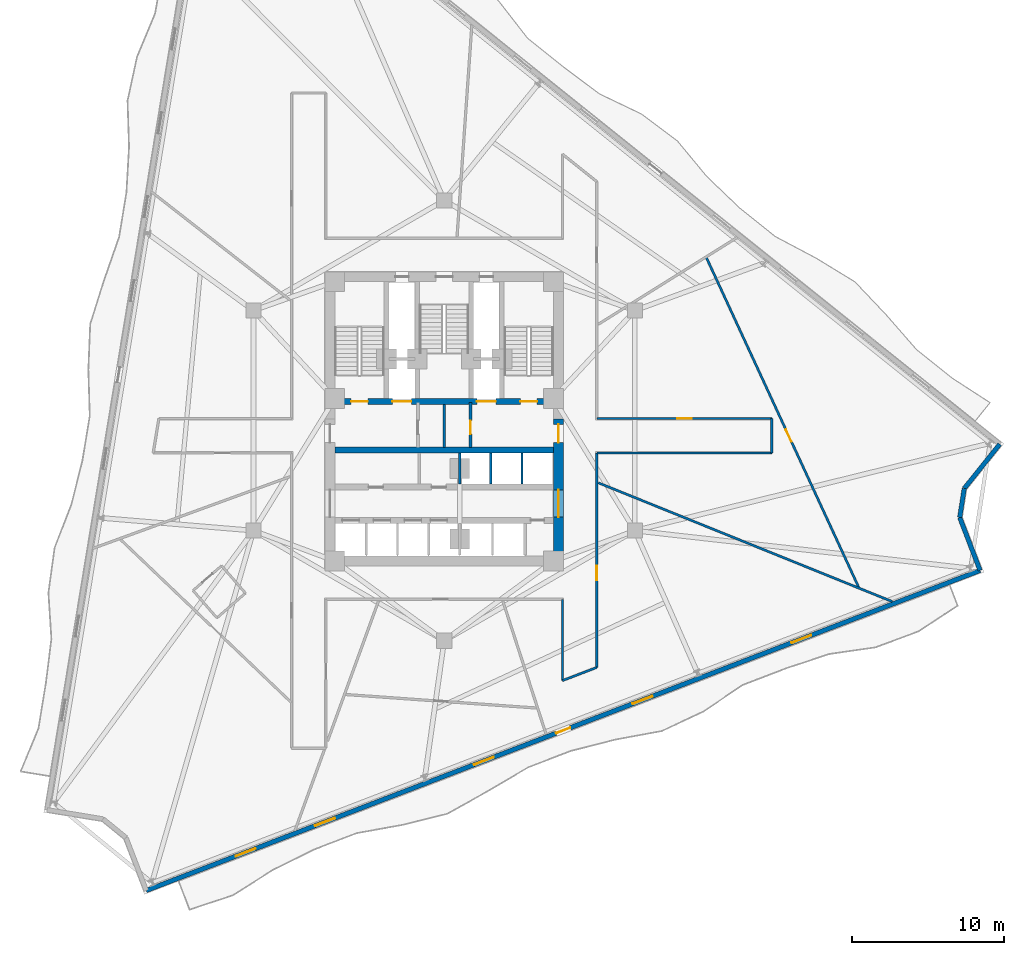
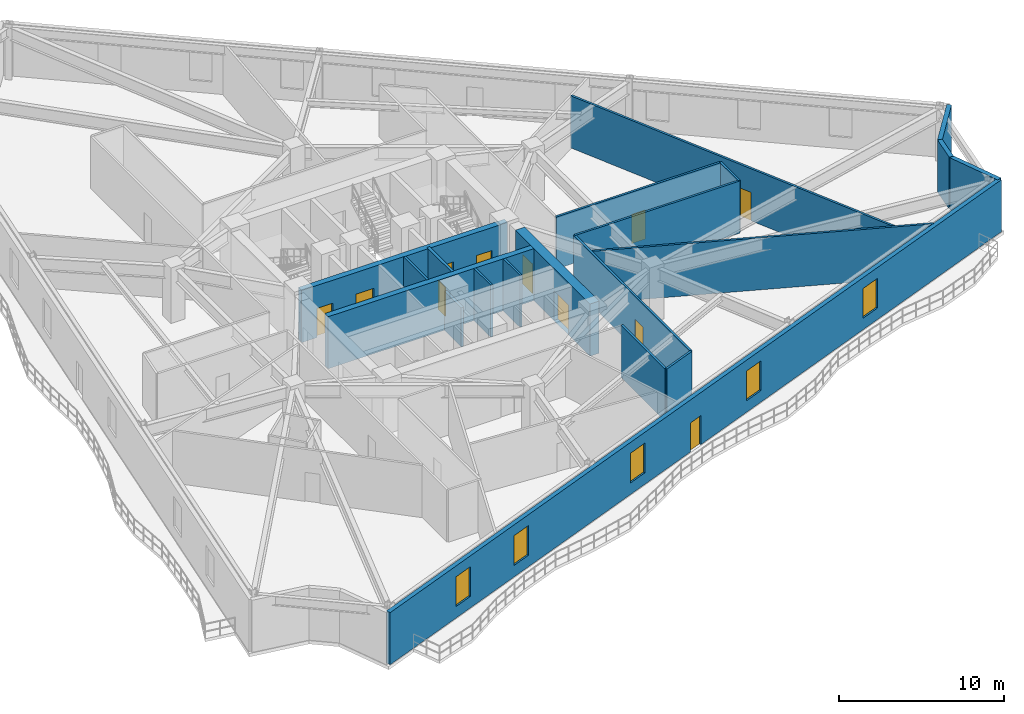
# One storey, part 5 of 11: 20 walls, 11 doors, 5 windows, 16 openings.
"""IFC4 building model written with IfcOpenShell, lengths in metres."""

from ifc_helpers import new_model, si_unit, direction, frame, frame_2d, origin, place, context, subcontext, project, spatial, rectangle, extrude, material, layer, layer_set, type_object, element, fill, save


model = new_model("IFC4")

# Units and contexts
model_context = context("Model", 3, precision=1e-05, world=origin(), true_north=direction((0.0, 1.0)))
body_context = subcontext(model_context, "Body", "Model", "MODEL_VIEW")
ifc_project = project(units=[si_unit("LENGTHUNIT", "METRE"), si_unit("AREAUNIT", "SQUARE_METRE"), si_unit("VOLUMEUNIT", "CUBIC_METRE"), si_unit("PLANEANGLEUNIT", "RADIAN"), si_unit("MASSUNIT", "GRAM", prefix="KILO")], contexts=[model_context])

# Site, building, storey
site_placement = place(None, origin())
site = spatial("IfcSite", under=ifc_project, at=site_placement, CompositionType="ELEMENT")
building_placement = place(site_placement, origin())
building = spatial("IfcBuilding", under=site, at=building_placement, Name="Apsidion Concourse Tower", CompositionType="ELEMENT")
storey_placement = place(building_placement, frame((0.0, 0.0, 132.199951171875)))
storey = spatial("IfcBuildingStorey", under=building, at=storey_placement, Name="L30", CompositionType="ELEMENT", Elevation=132.199951171875)

# Walls
ifc_material_1 = material(Name="Precast concrete C40/50", Category="concrete")
ifc_layer_1 = layer(ifc_material_1, 0.300048828125)
ifc_layer_set_1 = layer_set([ifc_layer_1], Name="Precast concrete C40/50")
wall_type_1 = type_object("IfcWallType", Name="WL-EXT-300", PredefinedType="STANDARD", material=ifc_layer_set_1)
wall_1_placement = place(storey_placement, frame((36.58984375, -1.556640625, 0.0), z_axis=(0.0, 0.0, 1.0), x_axis=(-0.62493402561, -0.780677567012, 0.0)))
element("IfcWall", 1, at=wall_1_placement, inside=storey, type_object=wall_type_1, Name="L30 Precast Stone Facade Wall 02", PredefinedType="STANDARD", context=body_context, shape_type="SweptSolid", body=[
    extrude(rectangle(XDim=3.737060546875, YDim=0.300048828125, at=frame_2d((1.86865234375, 0.0))), origin(), (0.0, 0.0, 1.0), 3.85009765625),
])
wall_2_placement = place(storey_placement, frame((34.25439453125, -4.47412109375, 0.0), z_axis=(0.0, 0.0, 1.0), x_axis=(-0.153717968475, -0.988114763663, 0.0)))
element("IfcWall", 2, at=wall_2_placement, inside=storey, type_object=wall_type_1, Name="L30 Precast Stone Facade Wall 03", PredefinedType="STANDARD", context=body_context, shape_type="SweptSolid", body=[
    extrude(rectangle(XDim=1.932861328125, YDim=0.300048828125, at=frame_2d((0.96630859375, 0.0))), origin(), (0.0, 0.0, 1.0), 3.85009765625),
])
wall_3_placement = place(storey_placement, frame((33.957275390625, -6.384033203125, 0.0), z_axis=(0.0, 0.0, 1.0), x_axis=(0.358344201462, -0.933589542186, 0.0)))
element("IfcWall", 3, at=wall_3_placement, inside=storey, type_object=wall_type_1, Name="L30 Precast Stone Facade Wall 04", PredefinedType="STANDARD", context=body_context, shape_type="SweptSolid", body=[
    extrude(rectangle(XDim=3.737060546875, YDim=0.300048828125, at=frame_2d((1.86865234375, 0.0))), origin(), (0.0, 0.0, 1.0), 3.85009765625),
])

# Wall, openings, door, windows
wall_4_placement = place(storey_placement, frame((35.29638671875, -9.872802734375, 0.0), z_axis=(0.0, 0.0, 1.0), x_axis=(-0.933580612554, -0.35836746485, 0.0)))
wall_4 = element("IfcWall", 4, at=wall_4_placement, inside=storey, type_object=wall_type_1, Name="L30 Precast Stone Facade Wall 05", PredefinedType="STANDARD", context=body_context, shape_type="SweptSolid", body=[
    extrude(rectangle(XDim=58.827880859375, YDim=0.300048828125, at=frame_2d((29.4140625, 0.0))), origin(), (0.0, 0.0, 1.0), 3.85009765625),
])
opening_1_placement = place(wall_4_placement, frame((28.9140625, 0.0, 0.0)))
opening_1 = element("IfcOpeningElement", 5, at=opening_1_placement, cuts=wall_4, Name="Opening D-T1R", PredefinedType="OPENING", context=body_context, shape_type="SweptSolid", body=[
    extrude(rectangle(XDim=1.0, YDim=2.14990234375, at=frame_2d((0.5, 1.074951171875))), frame((0.0, 0.16015625, 0.0), z_axis=(0.0, -1.0, 0.0), x_axis=(1.0, 0.0, 0.0)), (0.0, 0.0, 1.0), 0.320068359375),
])
opening_2_placement = place(wall_4_placement, frame((11.9140625, 0.0, 0.85009765625)))
opening_2 = element("IfcOpeningElement", 6, at=opening_2_placement, cuts=wall_4, Name="Opening WN-05", PredefinedType="OPENING", context=body_context, shape_type="SweptSolid", body=[
    extrude(rectangle(XDim=1.39990234375, YDim=2.199951171875, at=frame_2d((0.699951171875, 1.10009765625))), frame((0.0, 0.16015625, 0.0), z_axis=(0.0, -1.0, 0.0), x_axis=(1.0, 0.0, 0.0)), (0.0, 0.0, 1.0), 0.320068359375),
])
opening_3_placement = place(wall_4_placement, frame((23.114013671875, 0.0, 0.85009765625)))
opening_3 = element("IfcOpeningElement", 7, at=opening_3_placement, cuts=wall_4, Name="Opening WN-05", PredefinedType="OPENING", context=body_context, shape_type="SweptSolid", body=[
    extrude(rectangle(XDim=1.39990234375, YDim=2.199951171875, at=frame_2d((0.699951171875, 1.10009765625))), frame((0.0, 0.16015625, 0.0), z_axis=(0.0, -1.0, 0.0), x_axis=(1.0, 0.0, 0.0)), (0.0, 0.0, 1.0), 0.320068359375),
])
opening_4_placement = place(wall_4_placement, frame((34.31396484375, 0.0, 0.85009765625)))
opening_4 = element("IfcOpeningElement", 8, at=opening_4_placement, cuts=wall_4, Name="Opening WN-05", PredefinedType="OPENING", context=body_context, shape_type="SweptSolid", body=[
    extrude(rectangle(XDim=1.39990234375, YDim=2.199951171875, at=frame_2d((0.699951171875, 1.10009765625))), frame((0.0, 0.16015625, 0.0), z_axis=(0.0, -1.0, 0.0), x_axis=(1.0, 0.0, 0.0)), (0.0, 0.0, 1.0), 0.320068359375),
])
opening_5_placement = place(wall_4_placement, frame((45.513916015625, 0.0, 0.85009765625)))
opening_5 = element("IfcOpeningElement", 9, at=opening_5_placement, cuts=wall_4, Name="Opening WN-05", PredefinedType="OPENING", context=body_context, shape_type="SweptSolid", body=[
    extrude(rectangle(XDim=1.39990234375, YDim=2.199951171875, at=frame_2d((0.699951171875, 1.10009765625))), frame((0.0, 0.16015625, 0.0), z_axis=(0.0, -1.0, 0.0), x_axis=(1.0, 0.0, 0.0)), (0.0, 0.0, 1.0), 0.320068359375),
])
opening_6_placement = place(wall_4_placement, frame((51.114013671875, 0.0, 0.85009765625)))
opening_6 = element("IfcOpeningElement", 10, at=opening_6_placement, cuts=wall_4, Name="Opening WN-05", PredefinedType="OPENING", context=body_context, shape_type="SweptSolid", body=[
    extrude(rectangle(XDim=1.39990234375, YDim=2.199951171875, at=frame_2d((0.699951171875, 1.10009765625))), frame((0.0, 0.16015625, 0.0), z_axis=(0.0, -1.0, 0.0), x_axis=(1.0, 0.0, 0.0)), (0.0, 0.0, 1.0), 0.320068359375),
])
ifc_material_2 = material(Name="Anodised aluminium EN AW-6063 T6", Category="aluminium")
door_type_1 = type_object("IfcDoorType", Name="DR-TER-1022R", OperationType="SINGLE_SWING_RIGHT", PredefinedType="DOOR", material=ifc_material_2)
door_1_placement = place(opening_1_placement, origin())
door_1 = element("IfcDoor", 11, at=door_1_placement, inside=storey, type_object=door_type_1, Name="L30 Balcony Access Door 2", OperationType="SINGLE_SWING_RIGHT", OverallHeight=2.14990234375, OverallWidth=1.0, PredefinedType="DOOR", context=body_context, shape_type="SweptSolid", body=[
    extrude(rectangle(XDim=1.0, YDim=2.14990234375, at=frame_2d((0.5, 1.074951171875))), frame((0.0, 0.02490234375, 0.0), z_axis=(0.0, -1.0, 0.0), x_axis=(1.0, 0.0, 0.0)), (0.0, 0.0, 1.0), 0.050048828125),
])
fill(opening_1, door_1)
ifc_material_3 = material(Name="Insulated laminated low-E glass", Category="glass")
window_type = type_object("IfcWindowType", Name="WN-OFF-1424", PartitioningType="SINGLE_PANEL", PredefinedType="WINDOW", material=ifc_material_3)
window_1_placement = place(opening_2_placement, origin())
window_1 = element("IfcWindow", 12, at=window_1_placement, inside=storey, type_object=window_type, Name="L30 Punched Facade Window 5-02", OverallHeight=2.199951171875, OverallWidth=1.39990234375, PartitioningType="SINGLE_PANEL", PredefinedType="WINDOW", context=body_context, shape_type="SweptSolid", body=[
    extrude(rectangle(XDim=1.39990234375, YDim=2.199951171875, at=frame_2d((0.699951171875, 1.10009765625))), frame((0.0, 0.030029296875, 0.0), z_axis=(0.0, -1.0, 0.0), x_axis=(1.0, 0.0, 0.0)), (0.0, 0.0, 1.0), 0.06005859375),
])
fill(opening_2, window_1)
window_2_placement = place(opening_3_placement, origin())
window_2 = element("IfcWindow", 13, at=window_2_placement, inside=storey, type_object=window_type, Name="L30 Punched Facade Window 5-04", OverallHeight=2.199951171875, OverallWidth=1.39990234375, PartitioningType="SINGLE_PANEL", PredefinedType="WINDOW", context=body_context, shape_type="SweptSolid", body=[
    extrude(rectangle(XDim=1.39990234375, YDim=2.199951171875, at=frame_2d((0.699951171875, 1.10009765625))), frame((0.0, 0.030029296875, 0.0), z_axis=(0.0, -1.0, 0.0), x_axis=(1.0, 0.0, 0.0)), (0.0, 0.0, 1.0), 0.06005859375),
])
fill(opening_3, window_2)
window_3_placement = place(opening_4_placement, origin())
window_3 = element("IfcWindow", 14, at=window_3_placement, inside=storey, type_object=window_type, Name="L30 Punched Facade Window 5-06", OverallHeight=2.199951171875, OverallWidth=1.39990234375, PartitioningType="SINGLE_PANEL", PredefinedType="WINDOW", context=body_context, shape_type="SweptSolid", body=[
    extrude(rectangle(XDim=1.39990234375, YDim=2.199951171875, at=frame_2d((0.699951171875, 1.10009765625))), frame((0.0, 0.030029296875, 0.0), z_axis=(0.0, -1.0, 0.0), x_axis=(1.0, 0.0, 0.0)), (0.0, 0.0, 1.0), 0.06005859375),
])
fill(opening_4, window_3)
window_4_placement = place(opening_5_placement, origin())
window_4 = element("IfcWindow", 15, at=window_4_placement, inside=storey, type_object=window_type, Name="L30 Punched Facade Window 5-08", OverallHeight=2.199951171875, OverallWidth=1.39990234375, PartitioningType="SINGLE_PANEL", PredefinedType="WINDOW", context=body_context, shape_type="SweptSolid", body=[
    extrude(rectangle(XDim=1.39990234375, YDim=2.199951171875, at=frame_2d((0.699951171875, 1.10009765625))), frame((0.0, 0.030029296875, 0.0), z_axis=(0.0, -1.0, 0.0), x_axis=(1.0, 0.0, 0.0)), (0.0, 0.0, 1.0), 0.06005859375),
])
fill(opening_5, window_4)
window_5_placement = place(opening_6_placement, origin())
window_5 = element("IfcWindow", 16, at=window_5_placement, inside=storey, type_object=window_type, Name="L30 Punched Facade Window 5-09", OverallHeight=2.199951171875, OverallWidth=1.39990234375, PartitioningType="SINGLE_PANEL", PredefinedType="WINDOW", context=body_context, shape_type="SweptSolid", body=[
    extrude(rectangle(XDim=1.39990234375, YDim=2.199951171875, at=frame_2d((0.699951171875, 1.10009765625))), frame((0.0, 0.030029296875, 0.0), z_axis=(0.0, -1.0, 0.0), x_axis=(1.0, 0.0, 0.0)), (0.0, 0.0, 1.0), 0.06005859375),
])
fill(opening_6, window_5)

# Walls
ifc_material_4 = material(Name="Gypsum plasterboard partition")
ifc_layer_2 = layer(ifc_material_4, 0.14990234375)
ifc_layer_set_2 = layer_set([ifc_layer_2], Name="Gypsum plasterboard partition")
wall_type_2 = type_object("IfcWallType", Name="WL-INT-PAR-150", PredefinedType="PARTITIONING", material=ifc_layer_set_2)
for number, where, z_axis, x_axis, name in (
    (17, (3.074951171875, -4.179931640625, 0.0), (0.0, 0.0, 1.0), (0.0, 1.0, 0.0), "L30 Interior Partition WL-L30-B3DIV-1"),
    (18, (5.125, -4.179931640625, 0.0), (0.0, 0.0, 1.0), (0.0, 1.0, 0.0), "L30 Interior Partition WL-L30-B3DIV-2"),
):
    element("IfcWall", number, at=place(storey_placement, frame(where, z_axis=z_axis, x_axis=x_axis)), inside=storey, type_object=wall_type_2, Name=name, PredefinedType="PARTITIONING", context=body_context, shape_type="SweptSolid", body=[
        extrude(rectangle(XDim=2.030029296875, YDim=0.14990234375, at=frame_2d((1.01513671875, 0.0))), origin(), (0.0, 0.0, 1.0), 3.85009765625),
    ])
wall_5_placement = place(storey_placement, frame((0.0, -1.780029296875, 0.0), z_axis=(0.0, 0.0, 1.0), x_axis=(0.0, 1.0, 0.0)))
element("IfcWall", 19, at=wall_5_placement, inside=storey, type_object=wall_type_2, Name="L30 Interior Partition WL-L30-K3V", PredefinedType="PARTITIONING", context=body_context, shape_type="SweptSolid", body=[
    extrude(rectangle(XDim=2.830078125, YDim=0.14990234375, at=frame_2d((1.4150390625, 0.0))), origin(), (0.0, 0.0, 1.0), 3.85009765625),
])
wall_6_placement = place(storey_placement, frame((10.050048828125, -16.259521484375, 0.0), z_axis=(0.0, 0.0, 1.0), x_axis=(-0.933561171802, -0.358418105713, 0.0)))
element("IfcWall", 20, at=wall_6_placement, inside=storey, type_object=wall_type_2, Name="L30 Interior Partition WL-L30-CORR-01", PredefinedType="PARTITIONING", context=body_context, shape_type="SweptSolid", body=[
    extrude(rectangle(XDim=2.4208984375, YDim=0.14990234375, at=frame_2d((1.21044921875, 0.0))), origin(), (0.0, 0.0, 1.0), 3.85009765625),
])
wall_7_placement = place(storey_placement, frame((7.7900390625, -17.127197265625, 0.0), z_axis=(0.0, 0.0, 1.0), x_axis=(0.0, 1.0, 0.0)))
element("IfcWall", 21, at=wall_7_placement, inside=storey, type_object=wall_type_2, Name="L30 Interior Partition WL-L30-CORR-02", PredefinedType="PARTITIONING", context=body_context, shape_type="SweptSolid", body=[
    extrude(rectangle(XDim=5.352294921875, YDim=0.14990234375, at=frame_2d((2.67626953125, 0.0))), origin(), (0.0, 0.0, 1.0), 3.85009765625),
])

# Wall, opening, door
wall_8_placement = place(storey_placement, frame((10.050048828125, 0.1298828125, 0.0), z_axis=(0.0, 0.0, 1.0), x_axis=(1.0, 0.0, 0.0)))
wall_8 = element("IfcWall", 22, at=wall_8_placement, inside=storey, type_object=wall_type_2, Name="L30 Interior Partition WL-L30-CORR-17", PredefinedType="PARTITIONING", context=body_context, shape_type="SweptSolid", body=[
    extrude(rectangle(XDim=11.530029296875, YDim=0.14990234375, at=frame_2d((5.76513671875, 0.0))), origin(), (0.0, 0.0, 1.0), 3.85009765625),
])
opening_7_placement = place(wall_8_placement, frame((5.2900390625, 0.0, 0.0)))
opening_7 = element("IfcOpeningElement", 23, at=opening_7_placement, cuts=wall_8, Name="Opening D-01L", PredefinedType="OPENING", context=body_context, shape_type="SweptSolid", body=[
    extrude(rectangle(XDim=0.949951171875, YDim=2.14990234375, at=frame_2d((0.47509765625, 1.074951171875))), frame((0.0, 0.0849609375, 0.0), z_axis=(0.0, -1.0, 0.0), x_axis=(1.0, 0.0, 0.0)), (0.0, 0.0, 1.0), 0.169921875),
])
ifc_material_5 = material(Name="Brushed stainless steel 316", Category="steel")
door_type_2 = type_object("IfcDoorType", Name="DR-INT-D01L", OperationType="SINGLE_SWING_LEFT", PredefinedType="DOOR", material=ifc_material_5)
door_2_placement = place(opening_7_placement, origin())
door_2 = element("IfcDoor", 24, at=door_2_placement, inside=storey, type_object=door_type_2, Name="L30 Corridor Entry Door 05", OperationType="SINGLE_SWING_LEFT", OverallHeight=2.14990234375, OverallWidth=0.949951171875, PredefinedType="DOOR", context=body_context, shape_type="SweptSolid", body=[
    extrude(rectangle(XDim=0.949951171875, YDim=2.14990234375, at=frame_2d((0.47509765625, 1.074951171875))), frame((0.0, 0.02490234375, 0.0), z_axis=(0.0, -1.0, 0.0), x_axis=(1.0, 0.0, 0.0)), (0.0, 0.0, 1.0), 0.050048828125),
])
fill(opening_7, door_2)

# Walls
wall_9_placement = place(storey_placement, frame((21.580078125, 0.1298828125, 0.0), z_axis=(0.0, 0.0, 1.0), x_axis=(0.0, -1.0, 0.0)))
element("IfcWall", 25, at=wall_9_placement, inside=storey, type_object=wall_type_2, Name="L30 Interior Partition WL-L30-CORR-18", PredefinedType="PARTITIONING", context=body_context, shape_type="SweptSolid", body=[
    extrude(rectangle(XDim=2.259765625, YDim=0.14990234375, at=frame_2d((1.1298828125, 0.0))), origin(), (0.0, 0.0, 1.0), 3.85009765625),
])
wall_10_placement = place(storey_placement, frame((21.580078125, -2.1298828125, 0.0), z_axis=(0.0, 0.0, 1.0), x_axis=(-1.0, 0.0, 0.0)))
element("IfcWall", 26, at=wall_10_placement, inside=storey, type_object=wall_type_2, Name="L30 Interior Partition WL-L30-CORR-19", PredefinedType="PARTITIONING", context=body_context, shape_type="SweptSolid", body=[
    extrude(rectangle(XDim=11.530029296875, YDim=0.14990234375, at=frame_2d((5.76513671875, 0.0))), origin(), (0.0, 0.0, 1.0), 3.85009765625),
])

# Wall, opening, door
wall_11_placement = place(storey_placement, frame((10.050048828125, -2.1298828125, 0.0), z_axis=(0.0, 0.0, 1.0), x_axis=(0.0, -1.0, 0.0)))
wall_11 = element("IfcWall", 27, at=wall_11_placement, inside=storey, type_object=wall_type_2, Name="L30 Interior Partition WL-L30-CORR-20", PredefinedType="PARTITIONING", context=body_context, shape_type="SweptSolid", body=[
    extrude(rectangle(XDim=14.129638671875, YDim=0.14990234375, at=frame_2d((7.06494140625, 0.0))), origin(), (0.0, 0.0, 1.0), 3.85009765625),
])
opening_8_placement = place(wall_11_placement, frame((7.447509765625, 0.0, 0.0)))
opening_8 = element("IfcOpeningElement", 28, at=opening_8_placement, cuts=wall_11, Name="Opening D-01R", PredefinedType="OPENING", context=body_context, shape_type="SweptSolid", body=[
    extrude(rectangle(XDim=0.949951171875, YDim=2.14990234375, at=frame_2d((0.47509765625, 1.074951171875))), frame((0.0, 0.0849609375, 0.0), z_axis=(0.0, -1.0, 0.0), x_axis=(1.0, 0.0, 0.0)), (0.0, 0.0, 1.0), 0.169921875),
])
door_type_3 = type_object("IfcDoorType", Name="DR-INT-D01R", OperationType="SINGLE_SWING_RIGHT", PredefinedType="DOOR", material=ifc_material_5)
door_3_placement = place(opening_8_placement, origin())
door_3 = element("IfcDoor", 29, at=door_3_placement, inside=storey, type_object=door_type_3, Name="L30 Corridor Entry Door 04", OperationType="SINGLE_SWING_RIGHT", OverallHeight=2.14990234375, OverallWidth=0.949951171875, PredefinedType="DOOR", context=body_context, shape_type="SweptSolid", body=[
    extrude(rectangle(XDim=0.949951171875, YDim=2.14990234375, at=frame_2d((0.47509765625, 1.074951171875))), frame((0.0, 0.02490234375, 0.0), z_axis=(0.0, -1.0, 0.0), x_axis=(1.0, 0.0, 0.0)), (0.0, 0.0, 1.0), 0.050048828125),
])
fill(opening_8, door_3)

# Wall
wall_12_placement = place(storey_placement, frame((10.155029296875, -4.102783203125, 0.0), z_axis=(0.0, 0.0, 1.0), x_axis=(0.92718417314, -0.374605804918, 0.0)))
element("IfcWall", 30, at=wall_12_placement, inside=storey, type_object=wall_type_2, Name="L30 Interior Partition WL-L30-RAD-07-1", PredefinedType="PARTITIONING", context=body_context, shape_type="SweptSolid", body=[
    extrude(rectangle(XDim=20.86767578125, YDim=0.14990234375, at=frame_2d((10.433837890625, 0.0))), origin(), (0.0, 0.0, 1.0), 3.85009765625),
])

# Wall, opening, door
wall_13_placement = place(storey_placement, frame((27.313232421875, -11.00830078125, 0.0), z_axis=(0.0, 0.0, 1.0), x_axis=(-0.419386215123, 0.907807910609, 0.0)))
wall_13 = element("IfcWall", 31, at=wall_13_placement, inside=storey, type_object=wall_type_2, Name="L30 Interior Partition WL-L30-CHD-OFS04", PredefinedType="PARTITIONING", context=body_context, shape_type="SweptSolid", body=[
    extrude(rectangle(XDim=23.9736328125, YDim=0.14990234375, at=frame_2d((11.98681640625, 0.0))), origin(), (0.0, 0.0, 1.0), 3.85009765625),
])
opening_9_placement = place(wall_13_placement, frame((10.5869140625, 0.0, 0.0)))
opening_9 = element("IfcOpeningElement", 32, at=opening_9_placement, cuts=wall_13, Name="Opening D-02L", PredefinedType="OPENING", context=body_context, shape_type="SweptSolid", body=[
    extrude(rectangle(XDim=0.89990234375, YDim=2.10009765625, at=frame_2d((0.449951171875, 1.050048828125))), frame((0.0, 0.0849609375, 0.0), z_axis=(0.0, -1.0, 0.0), x_axis=(1.0, 0.0, 0.0)), (0.0, 0.0, 1.0), 0.169921875),
])
door_type_4 = type_object("IfcDoorType", Name="DR-INT-D02L", OperationType="SINGLE_SWING_LEFT", PredefinedType="DOOR", material=ifc_material_2)
door_4_placement = place(opening_9_placement, origin())
door_4 = element("IfcDoor", 33, at=door_4_placement, inside=storey, type_object=door_type_4, Name="L30 Suite Connecting Door OFS04", OperationType="SINGLE_SWING_LEFT", OverallHeight=2.10009765625, OverallWidth=0.89990234375, PredefinedType="DOOR", context=body_context, shape_type="SweptSolid", body=[
    extrude(rectangle(XDim=0.89990234375, YDim=2.10009765625, at=frame_2d((0.449951171875, 1.050048828125))), frame((0.0, 0.02490234375, 0.0), z_axis=(0.0, -1.0, 0.0), x_axis=(1.0, 0.0, 0.0)), (0.0, 0.0, 1.0), 0.050048828125),
])
fill(opening_9, door_4)

# Wall
ifc_layer_3 = layer(ifc_material_4, 0.179931640625)
ifc_layer_set_3 = layer_set([ifc_layer_3], Name="Gypsum plasterboard partition")
wall_type_3 = type_object("IfcWallType", Name="WL-INT-PAR-180", PredefinedType="PARTITIONING", material=ifc_layer_set_3)
wall_14_placement = place(storey_placement, frame((1.02490234375, -4.179931640625, 0.0), z_axis=(0.0, 0.0, 1.0), x_axis=(0.0, 1.0, 0.0)))
element("IfcWall", 34, at=wall_14_placement, inside=storey, type_object=wall_type_3, Name="L30 Interior Partition WL-L30-B1END", PredefinedType="PARTITIONING", context=body_context, shape_type="SweptSolid", body=[
    extrude(rectangle(XDim=2.030029296875, YDim=0.179931640625, at=frame_2d((1.01513671875, 0.0))), origin(), (0.0, 0.0, 1.0), 2.89794921875),
])

# Wall, opening, door
ifc_layer_4 = layer(ifc_material_4, 0.199951171875)
ifc_layer_set_4 = layer_set([ifc_layer_4], Name="Gypsum plasterboard partition")
wall_type_4 = type_object("IfcWallType", Name="WL-INT-PAR-200", PredefinedType="PARTITIONING", material=ifc_layer_set_4)
wall_15_placement = place(storey_placement, frame((1.739990234375, -1.780029296875, 0.0), z_axis=(0.0, 0.0, 1.0), x_axis=(0.0, 1.0, 0.0)))
wall_15 = element("IfcWall", 35, at=wall_15_placement, inside=storey, type_object=wall_type_4, Name="L30 Interior Partition WL-L30-FF2-W", PredefinedType="PARTITIONING", context=body_context, shape_type="SweptSolid", body=[
    extrude(rectangle(XDim=2.97998046875, YDim=0.199951171875, at=frame_2d((1.489990234375, 0.0))), origin(), (0.0, 0.0, 1.0), 3.85009765625),
])
opening_10_placement = place(wall_15_placement, frame((0.889892578125, 0.0, 0.0)))
opening_10 = element("IfcOpeningElement", 36, at=opening_10_placement, cuts=wall_15, Name="Opening D-05L", PredefinedType="OPENING", context=body_context, shape_type="SweptSolid", body=[
    extrude(rectangle(XDim=0.8798828125, YDim=2.14990234375, at=frame_2d((0.43994140625, 1.074951171875))), frame((0.0, 0.10986328125, 0.0), z_axis=(0.0, -1.0, 0.0), x_axis=(1.0, 0.0, 0.0)), (0.0, 0.0, 1.0), 0.219970703125),
])
door_type_5 = type_object("IfcDoorType", Name="DR-INT-D05L", OperationType="SINGLE_SWING_LEFT", PredefinedType="DOOR", material=ifc_material_5)
door_5_placement = place(opening_10_placement, origin())
door_5 = element("IfcDoor", 37, at=door_5_placement, inside=storey, type_object=door_type_5, Name="L30 Core Electrical Door", OperationType="SINGLE_SWING_LEFT", OverallHeight=2.14990234375, OverallWidth=0.8798828125, PredefinedType="DOOR", context=body_context, shape_type="SweptSolid", body=[
    extrude(rectangle(XDim=0.8798828125, YDim=2.14990234375, at=frame_2d((0.43994140625, 1.074951171875))), frame((0.0, 0.02490234375, 0.0), z_axis=(0.0, -1.0, 0.0), x_axis=(1.0, 0.0, 0.0)), (0.0, 0.0, 1.0), 0.050048828125),
])
fill(opening_10, door_5)

# Wall, openings, doors
ifc_material_6 = material(Name="Concrete C50/60", Category="concrete")
ifc_layer_5 = layer(ifc_material_6, 0.39990234375)
ifc_layer_set_5 = layer_set([ifc_layer_5], Name="Concrete C50/60")
wall_type_5 = type_object("IfcWallType", Name="WL-SH-400", PredefinedType="SHEAR", material=ifc_layer_set_5)
wall_16_placement = place(storey_placement, frame((-7.199951171875, 1.25, 0.0), z_axis=(0.0, 0.0, 1.0), x_axis=(1.0, 0.0, 0.0)))
wall_16 = element("IfcWall", 38, at=wall_16_placement, inside=storey, type_object=wall_type_5, Name="L30 Central Core Shear Wall M1", PredefinedType="SHEAR", context=body_context, shape_type="SweptSolid", body=[
    extrude(rectangle(XDim=14.39990234375, YDim=0.39990234375, at=frame_2d((7.199951171875, 0.0))), origin(), (0.0, 0.0, 1.0), 3.85009765625),
])
opening_11_placement = place(wall_16_placement, frame((3.794921875, 0.0, 0.0)))
opening_11 = element("IfcOpeningElement", 39, at=opening_11_placement, cuts=wall_16, Name="Opening LD-FF", PredefinedType="OPENING", context=body_context, shape_type="SweptSolid", body=[
    extrude(rectangle(XDim=1.25, YDim=2.25, at=frame_2d((0.625, 1.125))), frame((0.0, 0.2099609375, 0.0), z_axis=(0.0, -1.0, 0.0), x_axis=(1.0, 0.0, 0.0)), (0.0, 0.0, 1.0), 0.419921875),
])
opening_12_placement = place(wall_16_placement, frame((9.35498046875, 0.0, 0.0)))
opening_12 = element("IfcOpeningElement", 40, at=opening_12_placement, cuts=wall_16, Name="Opening LD-FF", PredefinedType="OPENING", context=body_context, shape_type="SweptSolid", body=[
    extrude(rectangle(XDim=1.25, YDim=2.25, at=frame_2d((0.625, 1.125))), frame((0.0, 0.2099609375, 0.0), z_axis=(0.0, -1.0, 0.0), x_axis=(1.0, 0.0, 0.0)), (0.0, 0.0, 1.0), 0.419921875),
])
opening_13_placement = place(wall_16_placement, frame((1.074951171875, 0.0, 0.0)))
opening_13 = element("IfcOpeningElement", 41, at=opening_13_placement, cuts=wall_16, Name="Opening D-STL", PredefinedType="OPENING", context=body_context, shape_type="SweptSolid", body=[
    extrude(rectangle(XDim=1.10009765625, YDim=2.14990234375, at=frame_2d((0.550048828125, 1.074951171875))), frame((0.0, 0.2099609375, 0.0), z_axis=(0.0, -1.0, 0.0), x_axis=(1.0, 0.0, 0.0)), (0.0, 0.0, 1.0), 0.419921875),
])
opening_14_placement = place(wall_16_placement, frame((12.22509765625, 0.0, 0.0)))
opening_14 = element("IfcOpeningElement", 42, at=opening_14_placement, cuts=wall_16, Name="Opening D-STR", PredefinedType="OPENING", context=body_context, shape_type="SweptSolid", body=[
    extrude(rectangle(XDim=1.10009765625, YDim=2.14990234375, at=frame_2d((0.550048828125, 1.074951171875))), frame((0.0, 0.2099609375, 0.0), z_axis=(0.0, -1.0, 0.0), x_axis=(1.0, 0.0, 0.0)), (0.0, 0.0, 1.0), 0.419921875),
])
door_type_6 = type_object("IfcDoorType", Name="DR-INT-ST1L", OperationType="SINGLE_SWING_LEFT", PredefinedType="DOOR", material=ifc_material_5)
door_6_placement = place(opening_13_placement, origin())
door_6 = element("IfcDoor", 43, at=door_6_placement, inside=storey, type_object=door_type_6, Name="L30 Core Exit Stair ST1 Door", OperationType="SINGLE_SWING_LEFT", OverallHeight=2.14990234375, OverallWidth=1.10009765625, PredefinedType="DOOR", context=body_context, shape_type="SweptSolid", body=[
    extrude(rectangle(XDim=1.10009765625, YDim=2.14990234375, at=frame_2d((0.550048828125, 1.074951171875))), frame((0.0, 0.02490234375, 0.0), z_axis=(0.0, -1.0, 0.0), x_axis=(1.0, 0.0, 0.0)), (0.0, 0.0, 1.0), 0.050048828125),
])
fill(opening_13, door_6)
door_type_7 = type_object("IfcDoorType", Name="DR-INT-ST1R", OperationType="SINGLE_SWING_RIGHT", PredefinedType="DOOR", material=ifc_material_5)
door_7_placement = place(opening_14_placement, origin())
door_7 = element("IfcDoor", 44, at=door_7_placement, inside=storey, type_object=door_type_7, Name="L30 Core Exit Stair ST2 Door", OperationType="SINGLE_SWING_RIGHT", OverallHeight=2.14990234375, OverallWidth=1.10009765625, PredefinedType="DOOR", context=body_context, shape_type="SweptSolid", body=[
    extrude(rectangle(XDim=1.10009765625, YDim=2.14990234375, at=frame_2d((0.550048828125, 1.074951171875))), frame((0.0, 0.02490234375, 0.0), z_axis=(0.0, -1.0, 0.0), x_axis=(1.0, 0.0, 0.0)), (0.0, 0.0, 1.0), 0.050048828125),
])
fill(opening_14, door_7)
door_type_8 = type_object("IfcDoorType", Name="DR-LD-FSAE", OperationType="DOUBLE_DOOR_SLIDING", PredefinedType="DOOR", material=ifc_material_5)
door_8_placement = place(opening_11_placement, origin())
door_8 = element("IfcDoor", 45, at=door_8_placement, inside=storey, type_object=door_type_8, Name="L30 Lift Landing Door FF1", OperationType="DOUBLE_DOOR_SLIDING", OverallHeight=2.25, OverallWidth=1.25, PredefinedType="DOOR", context=body_context, shape_type="SweptSolid", body=[
    extrude(rectangle(XDim=1.25, YDim=2.25, at=frame_2d((0.625, 1.125))), frame((0.0, 0.02490234375, 0.0), z_axis=(0.0, -1.0, 0.0), x_axis=(1.0, 0.0, 0.0)), (0.0, 0.0, 1.0), 0.050048828125),
])
fill(opening_11, door_8)
door_9_placement = place(opening_12_placement, origin())
door_9 = element("IfcDoor", 46, at=door_9_placement, inside=storey, type_object=door_type_8, Name="L30 Lift Landing Door FF2", OperationType="DOUBLE_DOOR_SLIDING", OverallHeight=2.25, OverallWidth=1.25, PredefinedType="DOOR", context=body_context, shape_type="SweptSolid", body=[
    extrude(rectangle(XDim=1.25, YDim=2.25, at=frame_2d((0.625, 1.125))), frame((0.0, 0.02490234375, 0.0), z_axis=(0.0, -1.0, 0.0), x_axis=(1.0, 0.0, 0.0)), (0.0, 0.0, 1.0), 0.050048828125),
])
fill(opening_12, door_9)

# Wall
wall_17_placement = place(storey_placement, frame((-7.199951171875, -1.949951171875, 0.0), z_axis=(0.0, 0.0, 1.0), x_axis=(1.0, 0.0, 0.0)))
element("IfcWall", 47, at=wall_17_placement, inside=storey, type_object=wall_type_5, Name="L30 Central Core Shear Wall M2", PredefinedType="SHEAR", context=body_context, shape_type="SweptSolid", body=[
    extrude(rectangle(XDim=14.39990234375, YDim=0.39990234375, at=frame_2d((7.199951171875, 0.0))), origin(), (0.0, 0.0, 1.0), 3.85009765625),
])

# Wall, openings, doors
ifc_layer_6 = layer(ifc_material_6, 0.64990234375)
ifc_layer_set_6 = layer_set([ifc_layer_6], Name="Concrete C50/60")
wall_type_6 = type_object("IfcWallType", Name="WL-SH-650", PredefinedType="SHEAR", material=ifc_layer_set_6)
wall_18_placement = place(storey_placement, frame((7.52490234375, -8.925048828125, 0.0), z_axis=(0.0, 0.0, 1.0), x_axis=(0.0, 1.0, 0.0)))
wall_18 = element("IfcWall", 48, at=wall_18_placement, inside=storey, type_object=wall_type_6, Name="L30 Central Core Shear Wall ES", PredefinedType="SHEAR", context=body_context, shape_type="SweptSolid", body=[
    extrude(rectangle(XDim=9.025146484375, YDim=0.64990234375, at=frame_2d((4.5126953125, 0.0))), origin(), (0.0, 0.0, 1.0), 3.85009765625),
])
opening_15_placement = place(wall_18_placement, frame((2.56494140625, 0.0, 0.0)))
opening_15 = element("IfcOpeningElement", 49, at=opening_15_placement, cuts=wall_18, Name="Opening D-06D", PredefinedType="OPENING", context=body_context, shape_type="SweptSolid", body=[
    extrude(rectangle(XDim=1.800048828125, YDim=2.199951171875, at=frame_2d((0.89990234375, 1.10009765625))), frame((0.0, 0.3349609375, 0.0), z_axis=(0.0, -1.0, 0.0), x_axis=(1.0, 0.0, 0.0)), (0.0, 0.0, 1.0), 0.669921875),
])
opening_16_placement = place(wall_18_placement, frame((7.47509765625, 0.0, 0.0)))
opening_16 = element("IfcOpeningElement", 50, at=opening_16_placement, cuts=wall_18, Name="Opening D-FFR", PredefinedType="OPENING", context=body_context, shape_type="SweptSolid", body=[
    extrude(rectangle(XDim=1.199951171875, YDim=2.14990234375, at=frame_2d((0.60009765625, 1.074951171875))), frame((0.0, 0.3349609375, 0.0), z_axis=(0.0, -1.0, 0.0), x_axis=(1.0, 0.0, 0.0)), (0.0, 0.0, 1.0), 0.669921875),
])
door_type_9 = type_object("IfcDoorType", Name="DR-INT-D06D", OperationType="DOUBLE_DOOR_SINGLE_SWING", PredefinedType="DOOR", material=ifc_material_5)
door_10_placement = place(opening_15_placement, origin())
door_10 = element("IfcDoor", 51, at=door_10_placement, inside=storey, type_object=door_type_9, Name="L30 Passenger Lift Lobby ES Portal Door", OperationType="DOUBLE_DOOR_SINGLE_SWING", OverallHeight=2.199951171875, OverallWidth=1.800048828125, PredefinedType="DOOR", context=body_context, shape_type="SweptSolid", body=[
    extrude(rectangle(XDim=1.800048828125, YDim=2.199951171875, at=frame_2d((0.89990234375, 1.10009765625))), frame((0.0, 0.02490234375, 0.0), z_axis=(0.0, -1.0, 0.0), x_axis=(1.0, 0.0, 0.0)), (0.0, 0.0, 1.0), 0.050048828125),
])
fill(opening_15, door_10)
door_type_10 = type_object("IfcDoorType", Name="DR-INT-FFR", OperationType="SINGLE_SWING_RIGHT", PredefinedType="DOOR", material=ifc_material_5)
door_11_placement = place(opening_16_placement, origin())
door_11 = element("IfcDoor", 52, at=door_11_placement, inside=storey, type_object=door_type_10, Name="L30 Firefighting Lift Lobby FF2 Door", OperationType="SINGLE_SWING_RIGHT", OverallHeight=2.14990234375, OverallWidth=1.199951171875, PredefinedType="DOOR", context=body_context, shape_type="SweptSolid", body=[
    extrude(rectangle(XDim=1.199951171875, YDim=2.14990234375, at=frame_2d((0.60009765625, 1.074951171875))), frame((0.0, 0.02490234375, 0.0), z_axis=(0.0, -1.0, 0.0), x_axis=(1.0, 0.0, 0.0)), (0.0, 0.0, 1.0), 0.050048828125),
])
fill(opening_16, door_11)

save(model, "model.ifc")
